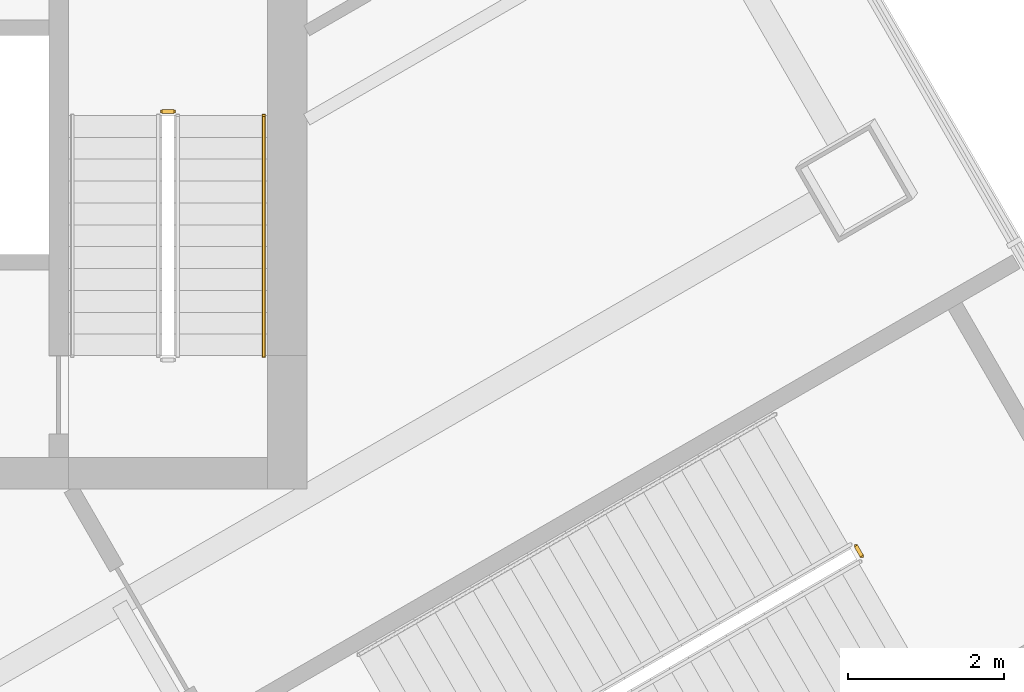
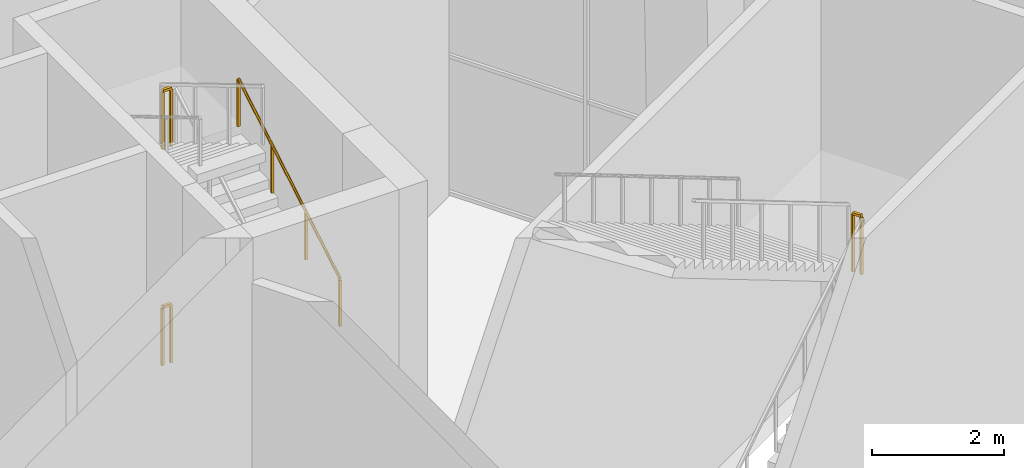
# One storey, part 16 of 16: 4 railings.
"""IFC4 building model written with IfcOpenShell, lengths in metres."""

from ifc_helpers import new_model, si_unit, direction, frame, origin, origin_2d, place, context, subcontext, project, spatial, rectangle, circle, extrude, material, type_object, element, save


model = new_model("IFC4")

# Units and contexts
model_context = context("Model", 3, precision=1e-05, world=origin(), true_north=direction((0.0, 1.0)))
body_context = subcontext(model_context, "Body", "Model", "MODEL_VIEW")
ifc_project = project(units=[si_unit("LENGTHUNIT", "METRE"), si_unit("AREAUNIT", "SQUARE_METRE"), si_unit("VOLUMEUNIT", "CUBIC_METRE"), si_unit("PLANEANGLEUNIT", "RADIAN"), si_unit("MASSUNIT", "GRAM", prefix="KILO")], contexts=[model_context])

# Site, building, storey
site_placement = place(None, origin())
site = spatial("IfcSite", under=ifc_project, at=site_placement, CompositionType="ELEMENT")
building_placement = place(site_placement, origin())
building = spatial("IfcBuilding", under=site, at=building_placement, Name="Apuvela Tower Hotel", CompositionType="ELEMENT")
storey_placement = place(building_placement, frame((0.0, 0.0, 15.5)))
storey = spatial("IfcBuildingStorey", under=building, at=storey_placement, Name="L02", CompositionType="ELEMENT", Elevation=15.5)

# Railings
ifc_material_1 = material(Name="Steel S275 balustrade", Category="steel")
railing_type_1 = type_object("IfcRailingType", Name="COR-GUARD-1100", PredefinedType="GUARDRAIL", material=ifc_material_1)
for number, where, name in (
    (1, (3.800048828125, 17.72998046875, 2.0), "L02 ST1 stair guard 2"),
    (2, (3.800048828125, 17.72998046875, 6.0), "L02 ST1 stair guard 6"),
):
    element("IfcRailing", number, at=place(storey_placement, frame(where)), inside=storey, type_object=railing_type_1, Name=name, PredefinedType="GUARDRAIL", context=body_context, shape_type="SweptSolid", body=[
        extrude(rectangle(XDim=0.048095703125, YDim=0.048095703125, at=origin_2d()), frame((0.0, 0.0, 1.076171875), z_axis=(-1.0, 0.0, 0.0), x_axis=(0.0, -1.0, 0.0)), (0.0, 0.0, 1.0), 0.150146484375),
        extrude(rectangle(XDim=0.0419921875, YDim=0.0419921875, at=origin_2d()), origin(), (0.0, 0.0, 1.0), 1.052001953125),
        extrude(rectangle(XDim=0.0419921875, YDim=0.0419921875, at=origin_2d()), frame((-0.150146484375, 0.0, 0.0)), (0.0, 0.0, 1.0), 1.052001953125),
    ])
ifc_material_2 = material(Name="Stainless steel 316 handrail", Category="steel")
railing_type_2 = type_object("IfcRailingType", Name="COR-HANDRAIL-900", PredefinedType="HANDRAIL", material=ifc_material_2)
railing_1_placement = place(storey_placement, frame((4.949951171875, 14.60009765625, 4.166748046875)))
element("IfcRailing", 3, at=railing_1_placement, inside=storey, type_object=railing_type_2, Name="L02 ST1 stair handrail 3", PredefinedType="HANDRAIL", context=body_context, shape_type="SweptSolid", body=[
    extrude(circle(Radius=0.02392578125, at=origin_2d()), frame((0.0, 0.0, 0.8759765625), z_axis=(0.0, 0.859290745958, 0.51148745235), x_axis=(-1.0, 0.0, 0.0)), (0.0, 0.0, 1.0), 3.584228515625),
    extrude(rectangle(XDim=0.0419921875, YDim=0.0419921875, at=origin_2d()), origin(), (0.0, 0.0, 1.0), 0.851806640625),
    extrude(rectangle(XDim=0.0419921875, YDim=0.0419921875, at=origin_2d()), frame((0.0, 1.026611328125, 0.611083984375)), (0.0, 0.0, 1.0), 0.851806640625),
    extrude(rectangle(XDim=0.0419921875, YDim=0.0419921875, at=origin_2d()), frame((0.0, 2.05322265625, 1.22216796875)), (0.0, 0.0, 1.0), 0.851806640625),
    extrude(rectangle(XDim=0.0419921875, YDim=0.0419921875, at=origin_2d()), frame((0.0, 3.079833984375, 1.833251953125)), (0.0, 0.0, 1.0), 0.851806640625),
])
ifc_material_3 = material(Name="Steel S355 guard with laminated glass infill", Category="steel")
railing_type_3 = type_object("IfcRailingType", Name="SPC-GUARD-1100", PredefinedType="GUARDRAIL", material=ifc_material_3)
railing_2_placement = place(storey_placement, frame((12.603759765625, 12.039794921875, 4.0)))
element("IfcRailing", 4, at=railing_2_placement, inside=storey, type_object=railing_type_3, Name="L02 PS1 stair guard 2", PredefinedType="GUARDRAIL", context=body_context, shape_type="SweptSolid", body=[
    extrude(rectangle(XDim=0.048095703125, YDim=0.048095703125, at=origin_2d()), frame((0.0, 0.0, 1.076171875), z_axis=(-0.501036270542, 0.865426285481, 0.0), x_axis=(-0.865426285481, -0.501036270542, 0.0)), (0.0, 0.0, 1.0), 0.150146484375),
    extrude(rectangle(XDim=0.0419921875, YDim=0.0419921875, at=origin_2d()), origin(), (0.0, 0.0, 1.0), 1.052001953125),
    extrude(rectangle(XDim=0.0419921875, YDim=0.0419921875, at=origin_2d()), frame((-0.0751953125, 0.1298828125, 0.0)), (0.0, 0.0, 1.0), 1.052001953125),
])

save(model, "model.ifc")
